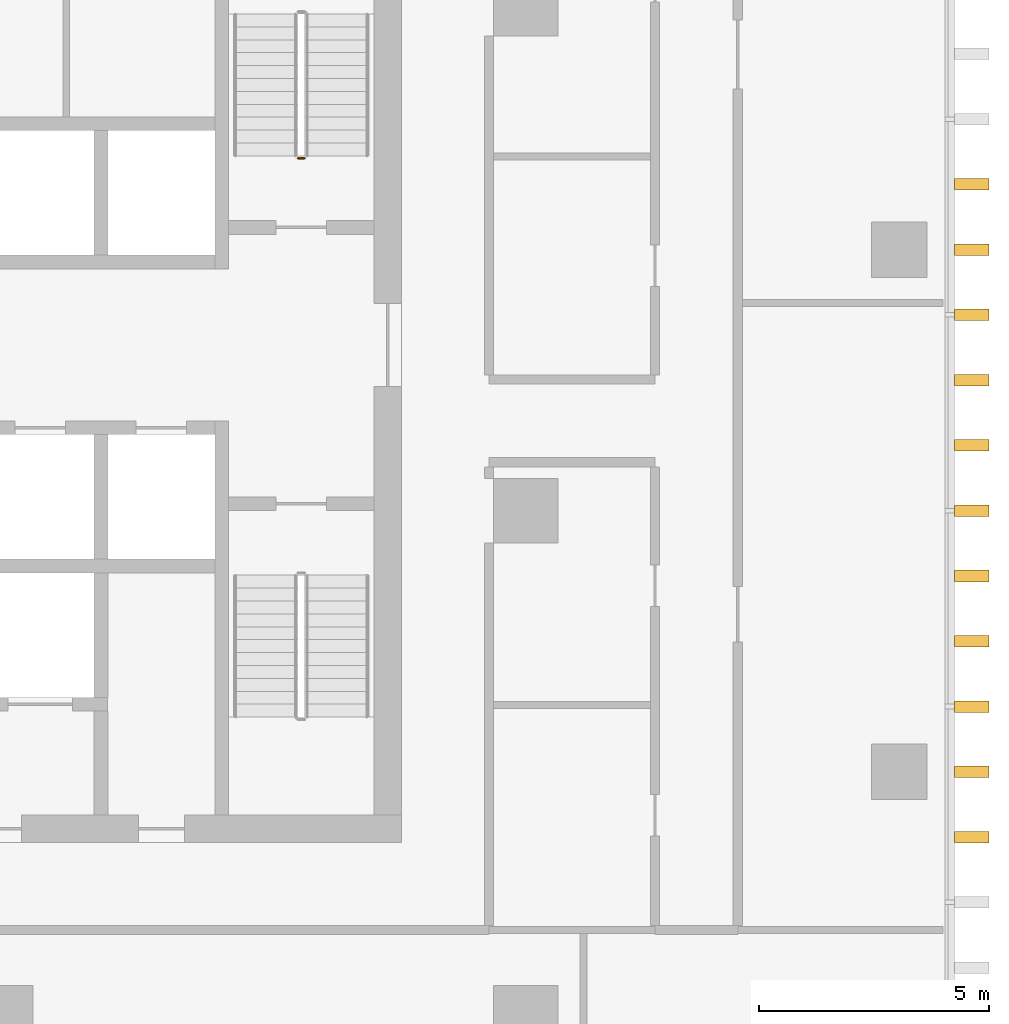
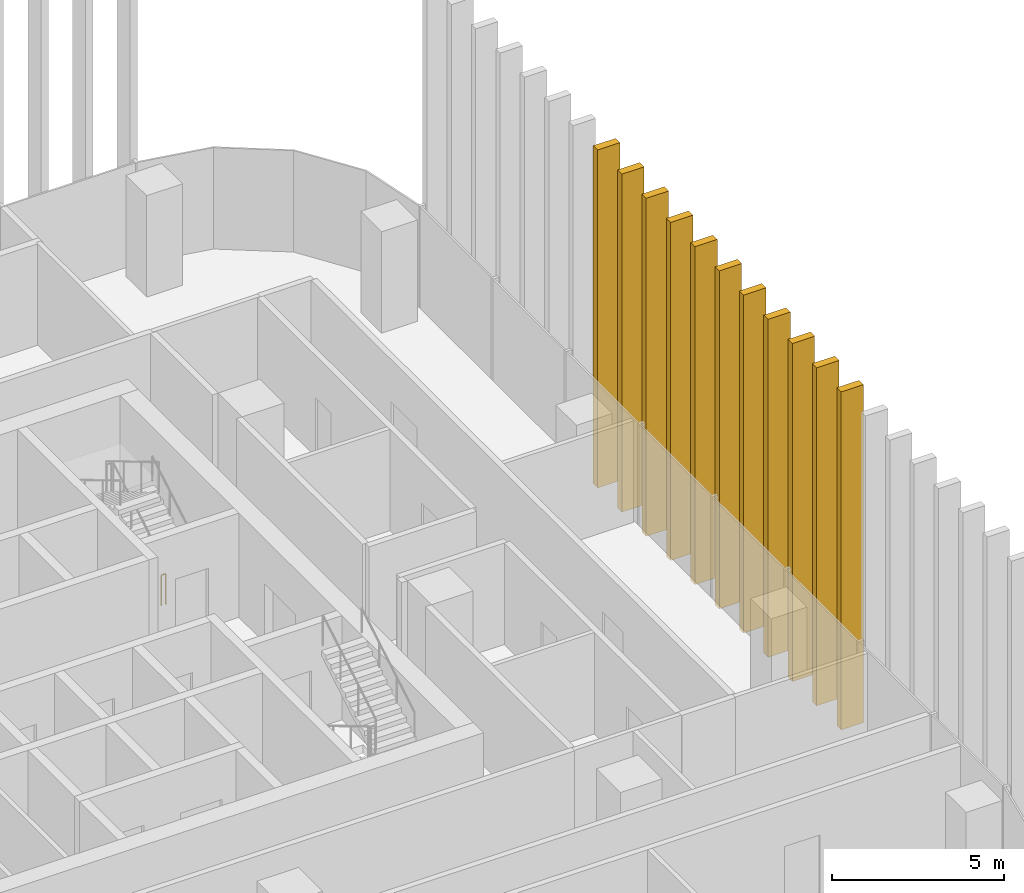
# One storey, part 15 of 16: 11 shading devices, 1 railing.
"""IFC4 building model written with IfcOpenShell, lengths in metres."""

from ifc_helpers import new_model, si_unit, direction, frame, origin, origin_2d, place, context, subcontext, project, spatial, rectangle, circle, extrude, material, type_object, element, save


model = new_model("IFC4")

# Units and contexts
model_context = context("Model", 3, precision=1e-05, world=origin(), true_north=direction((0.0, 1.0)))
body_context = subcontext(model_context, "Body", "Model", "MODEL_VIEW")
ifc_project = project(units=[si_unit("LENGTHUNIT", "METRE"), si_unit("AREAUNIT", "SQUARE_METRE"), si_unit("VOLUMEUNIT", "CUBIC_METRE"), si_unit("PLANEANGLEUNIT", "RADIAN"), si_unit("MASSUNIT", "GRAM", prefix="KILO")], contexts=[model_context])

# Site, building, storey
site_placement = place(None, origin())
site = spatial("IfcSite", under=ifc_project, at=site_placement, CompositionType="ELEMENT")
building_placement = place(site_placement, origin())
building = spatial("IfcBuilding", under=site, at=building_placement, Name="Mopane Tessera Tower", CompositionType="ELEMENT")
storey_placement = place(building_placement, frame((0.0, 0.0, 181.0)))
storey = spatial("IfcBuildingStorey", under=building, at=storey_placement, Name="L37", CompositionType="ELEMENT", Elevation=181.0)

# Shading devices
ifc_material_1 = material(Name="Glazed ceramic tile")
shading_device_type = type_object("IfcShadingDeviceType", Name="Ceramic tile fin 750 x 250 mm", PredefinedType="USERDEFINED", material=ifc_material_1)
for number, where, z_axis, x_axis, name in (
    (1, (26.77490234375, -7.083251953125, -0.39990234375), (0.0, 0.0, 1.0), (0.0, 1.0, 0.0), "e:fin:L37:E:2:1"),
    (2, (26.77490234375, -5.666748046875, -0.39990234375), (0.0, 0.0, 1.0), (0.0, 1.0, 0.0), "e:fin:L37:E:2:2"),
    (3, (26.77490234375, -4.25, -0.39990234375), (0.0, 0.0, 1.0), (0.0, 1.0, 0.0), "e:fin:L37:E:3:0"),
    (4, (26.77490234375, -2.833251953125, -0.39990234375), (0.0, 0.0, 1.0), (0.0, 1.0, 0.0), "e:fin:L37:E:3:1"),
    (5, (26.77490234375, -1.416748046875, -0.39990234375), (0.0, 0.0, 1.0), (0.0, 1.0, 0.0), "e:fin:L37:E:3:2"),
    (6, (26.77490234375, 0.0, -0.39990234375), (0.0, 0.0, 1.0), (0.0, 1.0, 0.0), "e:fin:L37:E:4:0"),
    (7, (26.77490234375, 1.416748046875, -0.39990234375), (0.0, 0.0, 1.0), (0.0, 1.0, 0.0), "e:fin:L37:E:4:1"),
    (8, (26.77490234375, 2.833251953125, -0.39990234375), (0.0, 0.0, 1.0), (0.0, 1.0, 0.0), "e:fin:L37:E:4:2"),
    (9, (26.77490234375, 4.25, -0.39990234375), (0.0, 0.0, 1.0), (0.0, 1.0, 0.0), "e:fin:L37:E:5:0"),
    (10, (26.77490234375, 5.666748046875, -0.39990234375), (0.0, 0.0, 1.0), (0.0, 1.0, 0.0), "e:fin:L37:E:5:1"),
    (11, (26.77490234375, 7.083251953125, -0.39990234375), (0.0, 0.0, 1.0), (0.0, 1.0, 0.0), "e:fin:L37:E:5:2"),
):
    element("IfcShadingDevice", number, at=place(storey_placement, frame(where, z_axis=z_axis, x_axis=x_axis)), inside=storey, type_object=shading_device_type, Name=name, ObjectType="FIN", PredefinedType="USERDEFINED", context=body_context, shape_type="SweptSolid", body=[
        extrude(rectangle(XDim=0.25, YDim=0.75, at=origin_2d()), origin(), (0.0, 0.0, 1.0), 12.0),
    ])

# Railing
ifc_material_2 = material(Name="Powder-coated steel balustrade", Category="steel")
railing_type = type_object("IfcRailingType", Name="Escape stair guard 1100 mm", PredefinedType="GUARDRAIL", material=ifc_material_2)
railing_placement = place(storey_placement, frame((12.300048828125, 7.64990234375, 0.0)))
element("IfcRailing", 12, at=railing_placement, inside=storey, type_object=railing_type, Name="L37 ST4 stair guard 3", PredefinedType="GUARDRAIL", context=body_context, shape_type="SweptSolid", body=[
    extrude(circle(Radius=0.02392578125, at=origin_2d()), frame((0.0, 0.0, 1.076171875), z_axis=(-1.0, 0.0, 0.0), x_axis=(0.0, -1.0, 0.0)), (0.0, 0.0, 1.0), 0.150146484375),
    extrude(circle(Radius=0.02099609375, at=origin_2d()), origin(), (0.0, 0.0, 1.0), 1.052001953125),
    extrude(circle(Radius=0.02099609375, at=origin_2d()), frame((-0.150146484375, 0.0, 0.0)), (0.0, 0.0, 1.0), 1.052001953125),
])

save(model, "model.ifc")
